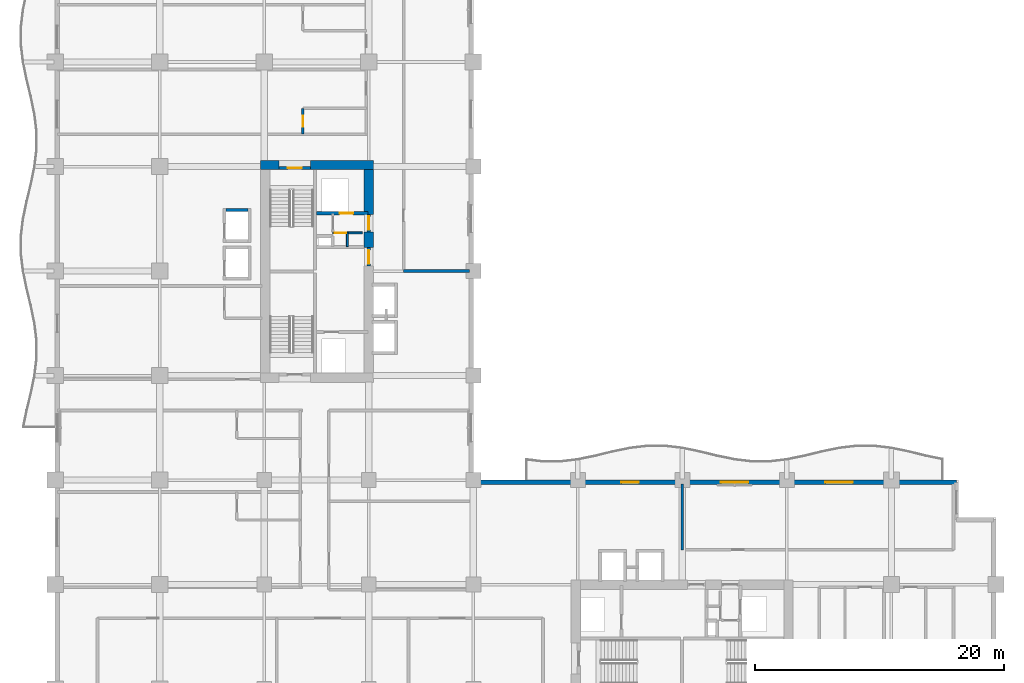
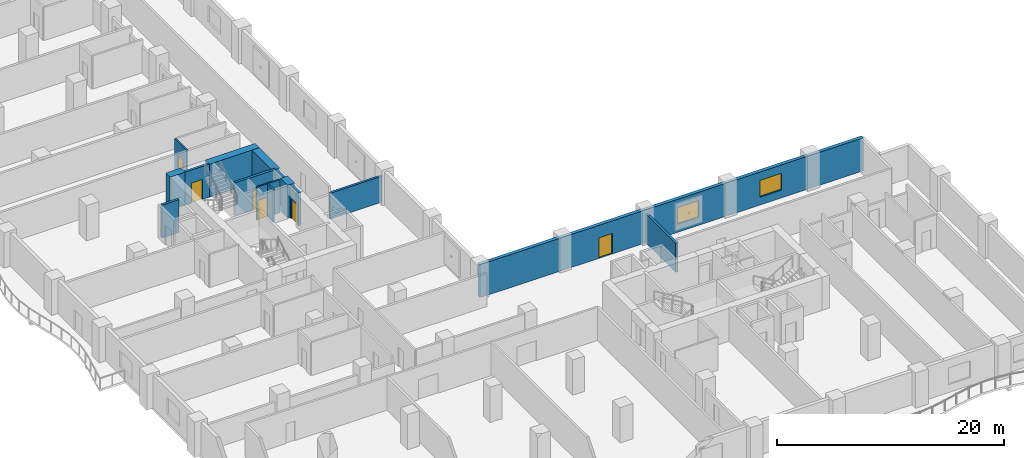
# One storey, part 8 of 18: 15 walls, 7 doors, 2 windows, 9 openings.
"""IFC4 building model written with IfcOpenShell, lengths in metres."""

import ifcopenshell
import ifcopenshell.guid

model = None  # the IFC model being written
_history = None  # IfcOwnerHistory: only IFC2X3 demands one
_inside = {}  # id of a spatial element -> (the spatial element, [elements in it])
_under = {}  # id of a project, library or spatial element -> (it, [spatial elements below it])
_declared = {}  # id of a project -> (the project, [libraries it declares])
_typed = {}  # id of a type object -> (the type object, [elements of that type])
_made_of = {}  # id of a material, layer set ... -> (it, [elements and type objects made of it])


def new_model(schema):
    """Start an empty IFC model of exactly this schema.

    Asked for "IFC4X3", IfcOpenShell would pick the latest addendum, in which some entities
    have other attributes; the version numbers below select the first issue.
    IFC2X3 requires an IfcOwnerHistory on every rooted entity: one is made here for all.
    """
    global model, _history
    if schema == "IFC4X3":
        model = ifcopenshell.file(schema_version=(4, 3, 0, 0))
    else:
        model = ifcopenshell.file(schema=schema)
    _inside.clear()
    _under.clear()
    _declared.clear()
    _typed.clear()
    _made_of.clear()
    _history = None
    if model.schema == "IFC2X3":
        org = make("IfcOrganization", Name="unknown")
        user = make(
            "IfcPersonAndOrganization",
            ThePerson=make("IfcPerson", FamilyName="unknown"),
            TheOrganization=org,
        )
        app = make(
            "IfcApplication",
            ApplicationDeveloper=org,
            Version="unknown",
            ApplicationFullName="unknown",
            ApplicationIdentifier="unknown",
        )
        _history = make(
            "IfcOwnerHistory",
            OwningUser=user,
            OwningApplication=app,
            ChangeAction="ADDED",
            CreationDate=0,
        )
    return model


def make(cls, **values):
    """One entity of the class cls with the attributes given. An attribute that is None is left unset."""
    return model.create_entity(
        cls, **{name: value for name, value in values.items() if value is not None}
    )


def rooted(cls, **values):
    """An entity with a GlobalId (a new one), such as an element, a storey or a relation."""
    return make(cls, GlobalId=ifcopenshell.guid.new(), OwnerHistory=_history, **values)


def si_unit(unit_type, name, prefix=None):
    """IfcSIUnit, for example si_unit("LENGTHUNIT", "METRE", prefix="MILLI")."""
    return make("IfcSIUnit", UnitType=unit_type, Prefix=prefix, Name=name)


def assignment(units):
    """IfcUnitAssignment: the units of a project."""
    return None if units is None else make("IfcUnitAssignment", Units=units)


def point(xyz):
    """IfcCartesianPoint."""
    return None if xyz is None else make("IfcCartesianPoint", Coordinates=xyz)


def direction(xyz):
    """IfcDirection."""
    return None if xyz is None else make("IfcDirection", DirectionRatios=xyz)


def frame(location, z_axis=None, x_axis=None):
    """IfcAxis2Placement3D, a coordinate frame: its origin and axes. An axis left out is left unset."""
    return make(
        "IfcAxis2Placement3D",
        Location=point(location),
        Axis=direction(z_axis),
        RefDirection=direction(x_axis),
    )


def frame_2d(location, x_axis=None):
    """IfcAxis2Placement2D, a coordinate frame in the plane: its origin and x axis."""
    return make(
        "IfcAxis2Placement2D", Location=point(location), RefDirection=direction(x_axis)
    )


def origin():
    """The frame at (0, 0, 0) with its axes left unset."""
    return frame((0.0, 0.0, 0.0))


def place(relative_to, where):
    """IfcLocalPlacement: puts the frame where relative to a parent placement (None: the world)."""
    return make(
        "IfcLocalPlacement", PlacementRelTo=relative_to, RelativePlacement=where
    )


def context(
    kind, dimensions, precision=None, world=None, true_north=None, identifier=None
):
    """IfcGeometricRepresentationContext, for example the 3D "Model" context."""
    return make(
        "IfcGeometricRepresentationContext",
        ContextIdentifier=identifier,
        ContextType=kind,
        CoordinateSpaceDimension=dimensions,
        Precision=precision,
        WorldCoordinateSystem=world,
        TrueNorth=true_north,
    )


def subcontext(parent, identifier, kind, view, scale=None):
    """IfcGeometricRepresentationSubContext, for example "Body" below "Model"."""
    return make(
        "IfcGeometricRepresentationSubContext",
        ContextIdentifier=identifier,
        ContextType=kind,
        ParentContext=parent,
        TargetScale=scale,
        TargetView=view,
    )


def project(units=None, contexts=None):
    """IfcProject with its units and contexts."""
    return rooted(
        "IfcProject",
        Name="project",
        RepresentationContexts=contexts,
        UnitsInContext=assignment(units),
    )


def spatial(cls, under=None, at=None, **own):
    """A site, building, storey or space (cls), placed at a placement, below another one or the project."""
    s = rooted(cls, ObjectPlacement=at, **own)
    if under is not None:
        _under.setdefault(under.id(), (under, []))[1].append(s)
    return s


def profile(cls, at=None, kind="AREA", **sizes):
    """A parametric profile (cls). Its sizes go by their IFC names, for example OverallWidth=200.0."""
    return make(cls, ProfileType=kind, Position=at, **sizes)


def rectangle(**sizes):
    """IfcRectangleProfileDef."""
    return profile("IfcRectangleProfileDef", **sizes)


def extrude(swept, where, along, depth):
    """IfcExtrudedAreaSolid: the profile swept, set in the frame where, extruded along a direction by depth."""
    return make(
        "IfcExtrudedAreaSolid",
        SweptArea=swept,
        Position=where,
        ExtrudedDirection=direction(along),
        Depth=depth,
    )


def shape(context_of_items, identifier, shape_type, items):
    """IfcShapeRepresentation: the items that make up one representation, for example the "Body"."""
    return make(
        "IfcShapeRepresentation",
        ContextOfItems=context_of_items,
        RepresentationIdentifier=identifier,
        RepresentationType=shape_type,
        Items=items,
    )


def material(Name=None, Category=None):
    """IfcMaterial."""
    return make("IfcMaterial", Name=Name, Category=Category)


def layer(
    of_material, thickness, ventilated=None, Name=None, Category=None, Priority=None
):
    """IfcMaterialLayer: one layer of a wall or slab, of a material (None: an air gap)."""
    return make(
        "IfcMaterialLayer",
        Material=of_material,
        LayerThickness=thickness,
        IsVentilated=ventilated,
        Name=Name,
        Category=Category,
        Priority=Priority,
    )


def layer_set(layers, Name=None):
    """IfcMaterialLayerSet."""
    return make("IfcMaterialLayerSet", MaterialLayers=layers, LayerSetName=Name)


def made_of(thing, what):
    """Note that an element or type object is made of a material, layer set ...; save() writes the relation."""
    if what is not None:
        _made_of.setdefault(what.id(), (what, []))[1].append(thing)
    return thing


def type_object(cls, material=None, **own):
    """A type object (cls), such as IfcWallType, which elements share."""
    return made_of(rooted(cls, **own), material)


def element(
    cls,
    number,
    at=None,
    inside=None,
    cuts=None,
    type_object=None,
    material=None,
    context=None,
    identifier="Body",
    shape_type=None,
    held_by="IfcProductDefinitionShape",
    body=None,
    shapes=None,
    **own,
):
    """One element of the class cls, such as IfcWall. Its Tag is "e" and its number.

    at: its placement. inside: the storey or other place that contains it. cuts: it is an
    opening in that element (IfcRelVoidsElement). A single representation is given by context,
    identifier, shape_type and body (its items); several are given by shapes. held_by: the class
    of the entity that holds the representations. save() writes the other relations.
    """
    e = rooted(cls, Tag="e%d" % number, ObjectPlacement=at, **own)
    if body is not None:
        shapes = [shape(context, identifier, shape_type, body)]
    if shapes is not None:
        e.Representation = make(held_by, Representations=shapes)
    if inside is not None:
        _inside.setdefault(inside.id(), (inside, []))[1].append(e)
    if cuts is not None:
        rooted(
            "IfcRelVoidsElement", RelatingBuildingElement=cuts, RelatedOpeningElement=e
        )
    if type_object is not None:
        _typed.setdefault(type_object.id(), (type_object, []))[1].append(e)
    return made_of(e, material)


def fill(opening, filler):
    """IfcRelFillsElement: the door or window that sits in an opening."""
    return rooted(
        "IfcRelFillsElement",
        RelatingOpeningElement=opening,
        RelatedBuildingElement=filler,
    )


def aggregate(whole, parts):
    """IfcRelAggregates: a whole, such as a stair, and the parts it consists of."""
    return rooted("IfcRelAggregates", RelatingObject=whole, RelatedObjects=parts)


def save(model, path):
    """Write the relations noted so far, then the file.

    IfcRelAggregates (storeys below a building ...), IfcRelContainedInSpatialStructure (elements
    in a storey), IfcRelDefinesByType, IfcRelAssociatesMaterial and IfcRelDeclares: one each for
    every whole, place, type object, material and project.
    """
    for whole, parts in _under.values():
        aggregate(whole, parts)
    for where, things in _inside.values():
        rooted(
            "IfcRelContainedInSpatialStructure",
            RelatedElements=things,
            RelatingStructure=where,
        )
    for kind, things in _typed.values():
        rooted("IfcRelDefinesByType", RelatedObjects=things, RelatingType=kind)
    for what, things in _made_of.values():
        rooted("IfcRelAssociatesMaterial", RelatedObjects=things, RelatingMaterial=what)
    for by, libraries in _declared.values():
        rooted("IfcRelDeclares", RelatingContext=by, RelatedDefinitions=libraries)
    model.write(path)


model = new_model("IFC4")

# Units and contexts
model_context = context("Model", 3, precision=1e-05, world=origin(), true_north=direction((0.0, 1.0)))
body_context = subcontext(model_context, "Body", "Model", "MODEL_VIEW")
ifc_project = project(units=[si_unit("LENGTHUNIT", "METRE"), si_unit("AREAUNIT", "SQUARE_METRE"), si_unit("VOLUMEUNIT", "CUBIC_METRE"), si_unit("PLANEANGLEUNIT", "RADIAN"), si_unit("MASSUNIT", "GRAM", prefix="KILO")], contexts=[model_context])

# Site, building, storey
site_placement = place(None, origin())
site = spatial("IfcSite", under=ifc_project, at=site_placement, CompositionType="ELEMENT")
building_placement = place(site_placement, origin())
building = spatial("IfcBuilding", under=site, at=building_placement, Name="Koriwani Terraces Tower", CompositionType="ELEMENT")
storey_placement = place(building_placement, frame((0.0, 0.0, 145.60009765625)))
storey = spatial("IfcBuildingStorey", under=building, at=storey_placement, Name="L35", CompositionType="ELEMENT", Elevation=145.60009765625)

# Walls
ifc_material_1 = material(Name="Concrete C60/75", Category="concrete")
ifc_layer_1 = layer(ifc_material_1, 0.75, Name="Concrete C60/75")
ifc_layer_set_1 = layer_set([ifc_layer_1], Name="Concrete C60/75")
wall_type_1 = type_object("IfcWallType", Name="WALL_CORE_RC_750", PredefinedType="SHEAR", material=ifc_layer_set_1)
wall_1_placement = place(storey_placement, frame((16.5, 58.925048828125, 0.0), z_axis=(0.0, 0.0, 1.0), x_axis=(1.0, 0.0, 0.0)))
element("IfcWall", 1, at=wall_1_placement, inside=storey, type_object=wall_type_1, Name="L35 West Split Core Shear Wall N1", PredefinedType="SHEAR", context=body_context, shape_type="SweptSolid", body=[
    extrude(rectangle(XDim=1.5, YDim=0.75, at=frame_2d((0.75, 0.0))), origin(), (0.0, 0.0, 1.0), 3.5498046875),
])
wall_2_placement = place(storey_placement, frame((20.5, 58.925048828125, 0.0), z_axis=(0.0, 0.0, 1.0), x_axis=(1.0, 0.0, 0.0)))
element("IfcWall", 2, at=wall_2_placement, inside=storey, type_object=wall_type_1, Name="L35 West Split Core Shear Wall N2", PredefinedType="SHEAR", context=body_context, shape_type="SweptSolid", body=[
    extrude(rectangle(XDim=5.074951171875, YDim=0.75, at=frame_2d((2.53759765625, 0.0))), origin(), (0.0, 0.0, 1.0), 3.5498046875),
])
wall_3_placement = place(storey_placement, frame((25.199951171875, 52.280029296875, 0.0), z_axis=(0.0, 0.0, 1.0), x_axis=(0.0, 1.0, 0.0)))
element("IfcWall", 3, at=wall_3_placement, inside=storey, type_object=wall_type_1, Name="L35 West Split Core Shear Wall E2", PredefinedType="SHEAR", context=body_context, shape_type="SweptSolid", body=[
    extrude(rectangle(XDim=1.27001953125, YDim=0.75, at=frame_2d((0.635009765625, 0.0))), origin(), (0.0, 0.0, 1.0), 3.5498046875),
])
wall_4_placement = place(storey_placement, frame((25.199951171875, 54.949951171875, 0.0), z_axis=(0.0, 0.0, 1.0), x_axis=(0.0, 1.0, 0.0)))
element("IfcWall", 4, at=wall_4_placement, inside=storey, type_object=wall_type_1, Name="L35 West Split Core Shear Wall E3", PredefinedType="SHEAR", context=body_context, shape_type="SweptSolid", body=[
    extrude(rectangle(XDim=3.60009765625, YDim=0.75, at=frame_2d((1.800048828125, 0.0))), origin(), (0.0, 0.0, 1.0), 3.5498046875),
])
ifc_material_2 = material(Name="Autoclaved Cellular Concrete Blockwork", Category="masonry")
ifc_layer_2 = layer(ifc_material_2, 0.219970703125, Name="Autoclaved Cellular Concrete Blockwork")
ifc_layer_set_2 = layer_set([ifc_layer_2], Name="Autoclaved Cellular Concrete Blockwork")
wall_type_2 = type_object("IfcWallType", Name="WALL_DEMISING_220", PredefinedType="PARTITIONING", material=ifc_layer_set_2)
wall_5_placement = place(storey_placement, frame((28.0, 50.39990234375, 0.0), z_axis=(0.0, 0.0, 1.0), x_axis=(1.0, 0.0, 0.0)))
element("IfcWall", 5, at=wall_5_placement, inside=storey, type_object=wall_type_2, Name="L35 Interior Wall WNEC-S-L35", PredefinedType="PARTITIONING", context=body_context, shape_type="SweptSolid", body=[
    extrude(rectangle(XDim=5.300048828125, YDim=0.219970703125, at=frame_2d((2.64990234375, 0.0))), origin(), (0.0, 0.0, 1.0), 2.7998046875),
])
wall_6_placement = place(storey_placement, frame((50.39990234375, 28.0, 0.0), z_axis=(0.0, 0.0, 1.0), x_axis=(0.0, 1.0, 0.0)))
element("IfcWall", 6, at=wall_6_placement, inside=storey, type_object=wall_type_2, Name="L35 Interior Wall WSEC-W-L35", PredefinedType="PARTITIONING", context=body_context, shape_type="SweptSolid", body=[
    extrude(rectangle(XDim=5.300048828125, YDim=0.219970703125, at=frame_2d((2.64990234375, 0.0))), origin(), (0.0, 0.0, 1.0), 3.1328125),
])

# Wall, openings, door, windows
ifc_material_3 = material(Name="Concrete C50/60", Category="concrete")
ifc_layer_3 = layer(ifc_material_3, 0.35009765625, Name="Concrete C50/60")
ifc_layer_set_3 = layer_set([ifc_layer_3], Name="Concrete C50/60")
wall_type_3 = type_object("IfcWallType", Name="WALL_EXT_BRUTALIST_350", PredefinedType="STANDARD", material=ifc_layer_set_3)
wall_7_placement = place(storey_placement, frame((33.425048828125, 33.425048828125, 0.0), z_axis=(0.0, 0.0, 1.0), x_axis=(1.0, 0.0, 0.0)))
wall_7 = element("IfcWall", 7, at=wall_7_placement, inside=storey, type_object=wall_type_3, Name="L35 Fair-Faced Brutalist Exterior Wall (NE)", PredefinedType="STANDARD", context=body_context, shape_type="SweptSolid", body=[
    extrude(rectangle(XDim=39.0, YDim=0.35009765625, at=frame_2d((19.5, 0.0))), origin(), (0.0, 0.0, 1.0), 3.5498046875),
])
opening_1_placement = place(wall_7_placement, frame((12.074951171875, 0.0, 0.0)))
opening_1 = element("IfcOpeningElement", 8, at=opening_1_placement, cuts=wall_7, Name="Opening D-09", PredefinedType="OPENING", context=body_context, shape_type="SweptSolid", body=[
    extrude(rectangle(XDim=1.39990234375, YDim=2.199951171875, at=frame_2d((0.699951171875, 1.10009765625))), frame((0.0, 0.18505859375, 0.0), z_axis=(0.0, -1.0, 0.0), x_axis=(1.0, 0.0, 0.0)), (0.0, 0.0, 1.0), 0.3701171875),
])
opening_2_placement = place(wall_7_placement, frame((20.074951171875, 0.0, 0.85009765625)))
opening_2 = element("IfcOpeningElement", 9, at=opening_2_placement, cuts=wall_7, Name="Opening W-01", PredefinedType="OPENING", context=body_context, shape_type="SweptSolid", body=[
    extrude(rectangle(XDim=2.199951171875, YDim=1.800048828125, at=frame_2d((1.10009765625, 0.89990234375))), frame((0.0, 0.18505859375, 0.0), z_axis=(0.0, -1.0, 0.0), x_axis=(1.0, 0.0, 0.0)), (0.0, 0.0, 1.0), 0.3701171875),
])
opening_3_placement = place(wall_7_placement, frame((28.47509765625, 0.0, 0.85009765625)))
opening_3 = element("IfcOpeningElement", 10, at=opening_3_placement, cuts=wall_7, Name="Opening W-01", PredefinedType="OPENING", context=body_context, shape_type="SweptSolid", body=[
    extrude(rectangle(XDim=2.199951171875, YDim=1.800048828125, at=frame_2d((1.10009765625, 0.89990234375))), frame((0.0, 0.18505859375, 0.0), z_axis=(0.0, -1.0, 0.0), x_axis=(1.0, 0.0, 0.0)), (0.0, 0.0, 1.0), 0.3701171875),
])
ifc_material_4 = material(Name="Anodised Bronze Aluminium", Category="aluminium")
door_type_1 = type_object("IfcDoorType", Name="DOOR_BALCONY_GLAZED_1400X2200", OperationType="NOTDEFINED", PredefinedType="DOOR", material=ifc_material_4)
door_1_placement = place(opening_1_placement, origin())
door_1 = element("IfcDoor", 11, at=door_1_placement, inside=storey, type_object=door_type_1, Name="L35 Inner Court Balcony Glazed Door", OperationType="SINGLE_SWING_LEFT", OverallHeight=2.199951171875, OverallWidth=1.39990234375, PredefinedType="DOOR", context=body_context, shape_type="SweptSolid", body=[
    extrude(rectangle(XDim=1.39990234375, YDim=2.199951171875, at=frame_2d((0.699951171875, 1.10009765625))), frame((0.0, 0.02490234375, 0.0), z_axis=(0.0, -1.0, 0.0), x_axis=(1.0, 0.0, 0.0)), (0.0, 0.0, 1.0), 0.050048828125),
])
fill(opening_1, door_1)
ifc_material_5 = material(Name="Tempered Laminated Low-E Glass", Category="glass")
window_type = type_object("IfcWindowType", Name="WIN_HOTEL_STD_2200X1800", PartitioningType="DOUBLE_PANEL_VERTICAL", PredefinedType="WINDOW", material=ifc_material_5)
window_1_placement = place(opening_2_placement, origin())
window_1 = element("IfcWindow", 12, at=window_1_placement, inside=storey, type_object=window_type, Name="L35 Exterior Window (NE-8)", OverallHeight=1.800048828125, OverallWidth=2.199951171875, PartitioningType="SINGLE_PANEL", PredefinedType="WINDOW", context=body_context, shape_type="SweptSolid", body=[
    extrude(rectangle(XDim=2.199951171875, YDim=1.800048828125, at=frame_2d((1.10009765625, 0.89990234375))), frame((0.0, 0.030029296875, 0.0), z_axis=(0.0, -1.0, 0.0), x_axis=(1.0, 0.0, 0.0)), (0.0, 0.0, 1.0), 0.06005859375),
])
fill(opening_2, window_1)
window_2_placement = place(opening_3_placement, origin())
window_2 = element("IfcWindow", 13, at=window_2_placement, inside=storey, type_object=window_type, Name="L35 Exterior Window (NE-11)", OverallHeight=1.800048828125, OverallWidth=2.199951171875, PartitioningType="SINGLE_PANEL", PredefinedType="WINDOW", context=body_context, shape_type="SweptSolid", body=[
    extrude(rectangle(XDim=2.199951171875, YDim=1.800048828125, at=frame_2d((1.10009765625, 0.89990234375))), frame((0.0, 0.030029296875, 0.0), z_axis=(0.0, -1.0, 0.0), x_axis=(1.0, 0.0, 0.0)), (0.0, 0.0, 1.0), 0.06005859375),
])
fill(opening_3, window_2)

# Wall, opening, door
ifc_material_6 = material(Name="Fire-Rated Acoustic Gypsum Partition", Category="masonry")
ifc_layer_4 = layer(ifc_material_6, 0.179931640625, Name="Fire-Rated Acoustic Gypsum Partition")
ifc_layer_set_4 = layer_set([ifc_layer_4], Name="Fire-Rated Acoustic Gypsum Partition")
wall_type_4 = type_object("IfcWallType", Name="WALL_PLUMBING_180", PredefinedType="PLUMBINGWALL", material=ifc_layer_set_4)
wall_8_placement = place(storey_placement, frame((19.89990234375, 61.39990234375, 0.0), z_axis=(0.0, 0.0, 1.0), x_axis=(0.0, 1.0, 0.0)))
wall_8 = element("IfcWall", 14, at=wall_8_placement, inside=storey, type_object=wall_type_4, Name="L35 Interior Wall WBTH1-L35-NE-0", PredefinedType="PLUMBINGWALL", context=body_context, shape_type="SweptSolid", body=[
    extrude(rectangle(XDim=2.080078125, YDim=0.179931640625, at=frame_2d((1.0400390625, 0.0))), origin(), (0.0, 0.0, 1.0), 3.5498046875),
])
opening_4_placement = place(wall_8_placement, frame((0.590087890625, 0.0, 0.0)))
opening_4 = element("IfcOpeningElement", 15, at=opening_4_placement, cuts=wall_8, Name="Opening D-07", PredefinedType="OPENING", context=body_context, shape_type="SweptSolid", body=[
    extrude(rectangle(XDim=0.89990234375, YDim=2.10009765625, at=frame_2d((0.449951171875, 1.050048828125))), frame((0.0, 0.10009765625, 0.0), z_axis=(0.0, -1.0, 0.0), x_axis=(1.0, 0.0, 0.0)), (0.0, 0.0, 1.0), 0.199951171875),
])
ifc_material_7 = material(Name="Architectural Oak Fire Door", Category="wood")
door_type_2 = type_object("IfcDoorType", Name="DOOR_BATH_INT_900X2100", OperationType="NOTDEFINED", PredefinedType="DOOR", material=ifc_material_7)
door_2_placement = place(opening_4_placement, origin())
door_2 = element("IfcDoor", 16, at=door_2_placement, inside=storey, type_object=door_type_2, Name="En-Suite Bathroom 35NE1 Door", OperationType="SINGLE_SWING_LEFT", OverallHeight=2.10009765625, OverallWidth=0.89990234375, PredefinedType="DOOR", context=body_context, shape_type="SweptSolid", body=[
    extrude(rectangle(XDim=0.89990234375, YDim=2.10009765625, at=frame_2d((0.449951171875, 1.050048828125))), frame((0.0, 0.02490234375, 0.0), z_axis=(0.0, -1.0, 0.0), x_axis=(1.0, 0.0, 0.0)), (0.0, 0.0, 1.0), 0.050048828125),
])
fill(opening_4, door_2)

ifc_material_8 = material(Name="Concrete C40/50", Category="concrete")
ifc_layer_5 = layer(ifc_material_8, 0.25, Name="Concrete C40/50")
ifc_layer_set_5 = layer_set([ifc_layer_5], Name="Concrete C40/50")
wall_type_5 = type_object("IfcWallType", Name="WALL_SHAFT_RATED_250", PredefinedType="SOLIDWALL", material=ifc_layer_set_5)
wall_9_placement = place(storey_placement, frame((18.0, 58.675048828125, 0.0), z_axis=(0.0, 0.0, 1.0), x_axis=(1.0, 0.0, 0.0)))
wall_9 = element("IfcWall", 17, at=wall_9_placement, inside=storey, type_object=wall_type_5, Name="L35 Interior Wall WIN-CW-L35-STN", PredefinedType="SOLIDWALL", context=body_context, shape_type="SweptSolid", body=[
    extrude(rectangle(XDim=2.5, YDim=0.25, at=frame_2d((1.25, 0.0))), origin(), (0.0, 0.0, 1.0), 3.5498046875),
])
opening_5_placement = place(wall_9_placement, frame((0.699951171875, 0.0, 0.0)))
opening_5 = element("IfcOpeningElement", 18, at=opening_5_placement, cuts=wall_9, Name="Opening D-03", PredefinedType="OPENING", context=body_context, shape_type="SweptSolid", body=[
    extrude(rectangle(XDim=1.10009765625, YDim=2.14990234375, at=frame_2d((0.550048828125, 1.074951171875))), frame((0.0, 0.135009765625, 0.0), z_axis=(0.0, -1.0, 0.0), x_axis=(1.0, 0.0, 0.0)), (0.0, 0.0, 1.0), 0.27001953125),
])
ifc_material_9 = material(Name="Steel ASTM A572 Grade 50", Category="steel")
door_type_3 = type_object("IfcDoorType", Name="DOOR_STAIR_FIRE_1100X2150", OperationType="NOTDEFINED", PredefinedType="DOOR", material=ifc_material_9)
door_3_placement = place(opening_5_placement, origin())
door_3 = element("IfcDoor", 19, at=door_3_placement, inside=storey, type_object=door_type_3, Name="L35 Exit Stair ST-W2 Door", OperationType="SINGLE_SWING_RIGHT", OverallHeight=2.14990234375, OverallWidth=1.10009765625, PredefinedType="DOOR", context=body_context, shape_type="SweptSolid", body=[
    extrude(rectangle(XDim=1.10009765625, YDim=2.14990234375, at=frame_2d((0.550048828125, 1.074951171875))), frame((0.0, 0.02490234375, 0.0), z_axis=(0.0, -1.0, 0.0), x_axis=(1.0, 0.0, 0.0)), (0.0, 0.0, 1.0), 0.050048828125),
])
fill(opening_5, door_3)

wall_10_placement = place(storey_placement, frame((25.199951171875, 50.800048828125, 0.0), z_axis=(0.0, 0.0, 1.0), x_axis=(0.0, 1.0, 0.0)))
wall_10 = element("IfcWall", 20, at=wall_10_placement, inside=storey, type_object=wall_type_5, Name="L35 Interior Wall WIN-CW-L35-EP", PredefinedType="SOLIDWALL", context=body_context, shape_type="SweptSolid", body=[
    extrude(rectangle(XDim=1.47998046875, YDim=0.25, at=frame_2d((0.739990234375, 0.0))), origin(), (0.0, 0.0, 1.0), 3.5498046875),
])
opening_6_placement = place(wall_10_placement, frame((0.179931640625, 0.0, 0.0)))
opening_6 = element("IfcOpeningElement", 21, at=opening_6_placement, cuts=wall_10, Name="Opening D-03", PredefinedType="OPENING", context=body_context, shape_type="SweptSolid", body=[
    extrude(rectangle(XDim=1.10009765625, YDim=2.14990234375, at=frame_2d((0.550048828125, 1.074951171875))), frame((0.0, 0.135009765625, 0.0), z_axis=(0.0, -1.0, 0.0), x_axis=(1.0, 0.0, 0.0)), (0.0, 0.0, 1.0), 0.27001953125),
])
door_4_placement = place(opening_6_placement, origin())
door_4 = element("IfcDoor", 22, at=door_4_placement, inside=storey, type_object=door_type_3, Name="L35 West Firefighting Lobby Door", OperationType="SINGLE_SWING_LEFT", OverallHeight=2.14990234375, OverallWidth=1.10009765625, PredefinedType="DOOR", context=body_context, shape_type="SweptSolid", body=[
    extrude(rectangle(XDim=1.10009765625, YDim=2.14990234375, at=frame_2d((0.550048828125, 1.074951171875))), frame((0.0, 0.02490234375, 0.0), z_axis=(0.0, -1.0, 0.0), x_axis=(1.0, 0.0, 0.0)), (0.0, 0.0, 1.0), 0.050048828125),
])
fill(opening_6, door_4)

wall_11_placement = place(storey_placement, frame((21.0, 55.050048828125, 0.0), z_axis=(0.0, 0.0, 1.0), x_axis=(1.0, 0.0, 0.0)))
wall_11 = element("IfcWall", 23, at=wall_11_placement, inside=storey, type_object=wall_type_5, Name="L35 Interior Wall WIN-CW-L35-SE", PredefinedType="SOLIDWALL", context=body_context, shape_type="SweptSolid", body=[
    extrude(rectangle(XDim=4.14990234375, YDim=0.25, at=frame_2d((2.074951171875, 0.0))), origin(), (0.0, 0.0, 1.0), 3.5498046875),
])
opening_7_placement = place(wall_11_placement, frame((1.85009765625, 0.0, 0.0)))
opening_7 = element("IfcOpeningElement", 24, at=opening_7_placement, cuts=wall_11, Name="Opening LD-01", PredefinedType="OPENING", context=body_context, shape_type="SweptSolid", body=[
    extrude(rectangle(XDim=1.10009765625, YDim=2.14990234375, at=frame_2d((0.550048828125, 1.074951171875))), frame((0.0, 0.135009765625, 0.0), z_axis=(0.0, -1.0, 0.0), x_axis=(1.0, 0.0, 0.0)), (0.0, 0.0, 1.0), 0.27001953125),
])
door_type_4 = type_object("IfcDoorType", Name="DOOR_LIFT_LANDING_1100X2200", OperationType="NOTDEFINED", PredefinedType="DOOR", material=ifc_material_9)
door_5_placement = place(opening_7_placement, origin())
door_5 = element("IfcDoor", 25, at=door_5_placement, inside=storey, type_object=door_type_4, Name="L35 Goods Lift SE-01 Landing Door", OperationType="SLIDING_TO_LEFT", OverallHeight=2.14990234375, OverallWidth=1.10009765625, PredefinedType="DOOR", context=body_context, shape_type="SweptSolid", body=[
    extrude(rectangle(XDim=1.10009765625, YDim=2.14990234375, at=frame_2d((0.550048828125, 1.074951171875))), frame((0.0, 0.02490234375, 0.0), z_axis=(0.0, -1.0, 0.0), x_axis=(1.0, 0.0, 0.0)), (0.0, 0.0, 1.0), 0.050048828125),
])
fill(opening_7, door_5)

wall_12_placement = place(storey_placement, frame((25.199951171875, 53.550048828125, 0.0), z_axis=(0.0, 0.0, 1.0), x_axis=(0.0, 1.0, 0.0)))
wall_12 = element("IfcWall", 26, at=wall_12_placement, inside=storey, type_object=wall_type_5, Name="L35 Interior Wall WIN-CW-L35-EP2", PredefinedType="SOLIDWALL", context=body_context, shape_type="SweptSolid", body=[
    extrude(rectangle(XDim=1.39990234375, YDim=0.25, at=frame_2d((0.699951171875, 0.0))), origin(), (0.0, 0.0, 1.0), 3.5498046875),
])
opening_8_placement = place(wall_12_placement, frame((0.14990234375, 0.0, 0.0)))
opening_8 = element("IfcOpeningElement", 27, at=opening_8_placement, cuts=wall_12, Name="Opening D-03", PredefinedType="OPENING", context=body_context, shape_type="SweptSolid", body=[
    extrude(rectangle(XDim=1.10009765625, YDim=2.14990234375, at=frame_2d((0.550048828125, 1.074951171875))), frame((0.0, 0.135009765625, 0.0), z_axis=(0.0, -1.0, 0.0), x_axis=(1.0, 0.0, 0.0)), (0.0, 0.0, 1.0), 0.27001953125),
])
door_6_placement = place(opening_8_placement, origin())
door_6 = element("IfcDoor", 28, at=door_6_placement, inside=storey, type_object=door_type_3, Name="L35 West Goods Lift Lobby Door", OperationType="SINGLE_SWING_RIGHT", OverallHeight=2.14990234375, OverallWidth=1.10009765625, PredefinedType="DOOR", context=body_context, shape_type="SweptSolid", body=[
    extrude(rectangle(XDim=1.10009765625, YDim=2.14990234375, at=frame_2d((0.550048828125, 1.074951171875))), frame((0.0, 0.02490234375, 0.0), z_axis=(0.0, -1.0, 0.0), x_axis=(1.0, 0.0, 0.0)), (0.0, 0.0, 1.0), 0.050048828125),
])
fill(opening_8, door_6)

# Wall
wall_13_placement = place(storey_placement, frame((13.72509765625, 55.300048828125, 0.0), z_axis=(0.0, 0.0, 1.0), x_axis=(1.0, 0.0, 0.0)))
element("IfcWall", 29, at=wall_13_placement, inside=storey, type_object=wall_type_5, Name="L35 Interior Wall WIN-LF-PE-M2-L35-N", PredefinedType="SOLIDWALL", context=body_context, shape_type="SweptSolid", body=[
    extrude(rectangle(XDim=1.75, YDim=0.25, at=frame_2d((0.875, 0.0))), origin(), (0.0, 0.0, 1.0), 3.5498046875),
])

# Wall, opening, door
ifc_layer_6 = layer(ifc_material_6, 0.159912109375, Name="Fire-Rated Acoustic Gypsum Partition")
ifc_layer_set_6 = layer_set([ifc_layer_6], Name="Fire-Rated Acoustic Gypsum Partition")
wall_type_6 = type_object("IfcWallType", Name="WALL_SUITE_160", PredefinedType="PARTITIONING", material=ifc_layer_set_6)
wall_14_placement = place(storey_placement, frame((22.320068359375, 53.4599609375, 0.0), z_axis=(0.0, 0.0, 1.0), x_axis=(1.0, 0.0, 0.0)))
wall_14 = element("IfcWall", 30, at=wall_14_placement, inside=storey, type_object=wall_type_6, Name="L35 Interior Wall WIN-CW-L35-SV2H", PredefinedType="PARTITIONING", context=body_context, shape_type="SweptSolid", body=[
    extrude(rectangle(XDim=2.35986328125, YDim=0.159912109375, at=frame_2d((1.179931640625, 0.0))), origin(), (0.0, 0.0, 1.0), 3.5498046875),
])
opening_9_placement = place(wall_14_placement, frame((0.159912109375, 0.0, 0.0)))
opening_9 = element("IfcOpeningElement", 31, at=opening_9_placement, cuts=wall_14, Name="Opening D-07", PredefinedType="OPENING", context=body_context, shape_type="SweptSolid", body=[
    extrude(rectangle(XDim=0.89990234375, YDim=2.10009765625, at=frame_2d((0.449951171875, 1.050048828125))), frame((0.0, 0.08984375, 0.0), z_axis=(0.0, -1.0, 0.0), x_axis=(1.0, 0.0, 0.0)), (0.0, 0.0, 1.0), 0.179931640625),
])
door_7_placement = place(opening_9_placement, origin())
door_7 = element("IfcDoor", 32, at=door_7_placement, inside=storey, type_object=door_type_2, Name="L35 West Valve Room Door", OperationType="SINGLE_SWING_RIGHT", OverallHeight=2.10009765625, OverallWidth=0.89990234375, PredefinedType="DOOR", context=body_context, shape_type="SweptSolid", body=[
    extrude(rectangle(XDim=0.89990234375, YDim=2.10009765625, at=frame_2d((0.449951171875, 1.050048828125))), frame((0.0, 0.02490234375, 0.0), z_axis=(0.0, -1.0, 0.0), x_axis=(1.0, 0.0, 0.0)), (0.0, 0.0, 1.0), 0.050048828125),
])
fill(opening_9, door_7)

# Wall
wall_15_placement = place(storey_placement, frame((23.47998046875, 52.360107421875, 0.0), z_axis=(0.0, 0.0, 1.0), x_axis=(0.0, 1.0, 0.0)))
element("IfcWall", 33, at=wall_15_placement, inside=storey, type_object=wall_type_6, Name="L35 Interior Wall WIN-CW-L35-SV2V", PredefinedType="PARTITIONING", context=body_context, shape_type="SweptSolid", body=[
    extrude(rectangle(XDim=1.099853515625, YDim=0.159912109375, at=frame_2d((0.5498046875, 0.0))), origin(), (0.0, 0.0, 1.0), 3.5498046875),
])

save(model, "model.ifc")
